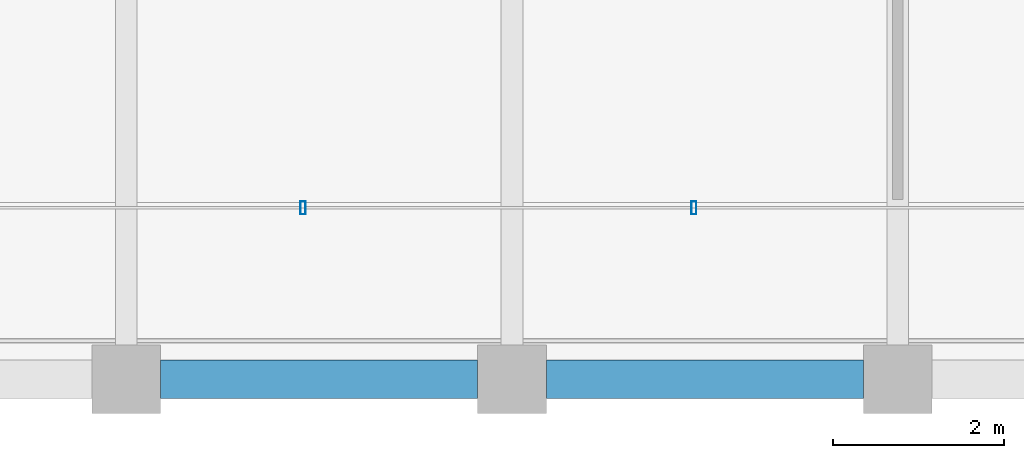
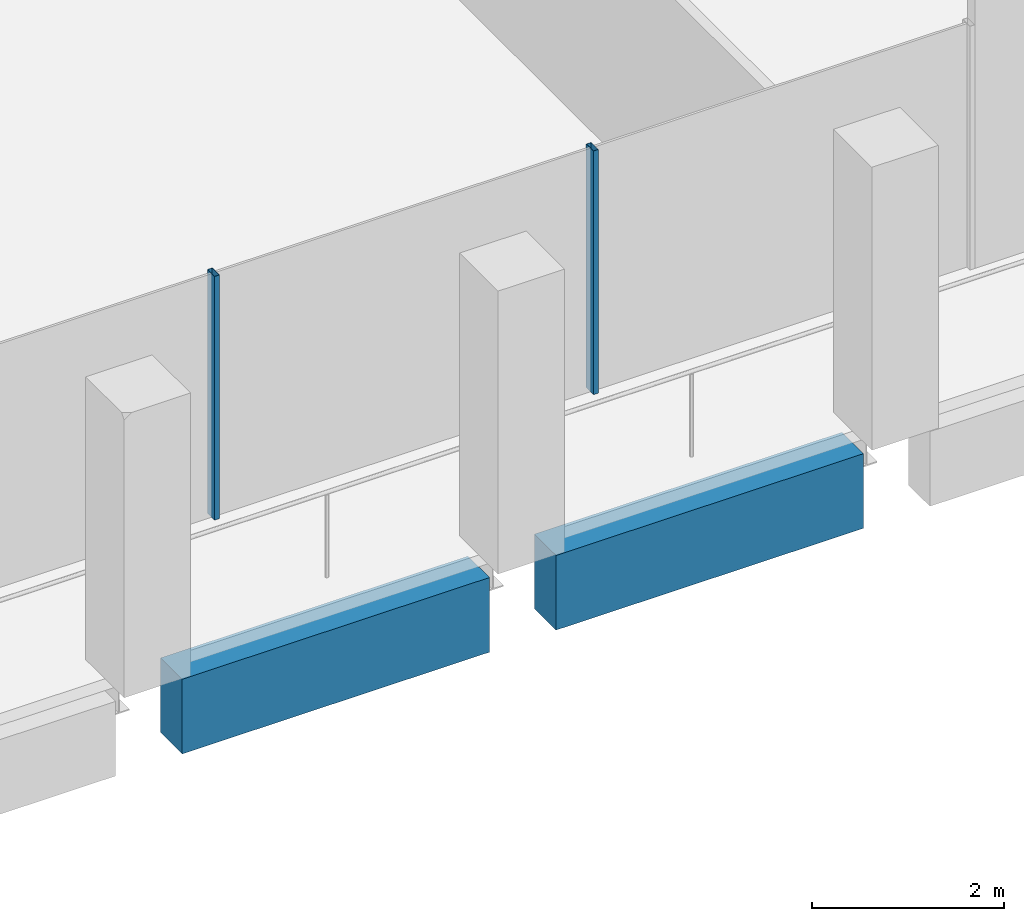
# One storey, part 3 of 40: 2 beams, 2 members, 1 element without a shape of its own.
"""IFC4 building model written with IfcOpenShell, lengths in metres."""

import ifcopenshell
import ifcopenshell.guid

model = None  # the IFC model being written
_history = None  # IfcOwnerHistory: only IFC2X3 demands one
_inside = {}  # id of a spatial element -> (the spatial element, [elements in it])
_under = {}  # id of a project, library or spatial element -> (it, [spatial elements below it])
_declared = {}  # id of a project -> (the project, [libraries it declares])
_typed = {}  # id of a type object -> (the type object, [elements of that type])
_made_of = {}  # id of a material, layer set ... -> (it, [elements and type objects made of it])


def new_model(schema):
    """Start an empty IFC model of exactly this schema.

    Asked for "IFC4X3", IfcOpenShell would pick the latest addendum, in which some entities
    have other attributes; the version numbers below select the first issue.
    IFC2X3 requires an IfcOwnerHistory on every rooted entity: one is made here for all.
    """
    global model, _history
    if schema == "IFC4X3":
        model = ifcopenshell.file(schema_version=(4, 3, 0, 0))
    else:
        model = ifcopenshell.file(schema=schema)
    _inside.clear()
    _under.clear()
    _declared.clear()
    _typed.clear()
    _made_of.clear()
    _history = None
    if model.schema == "IFC2X3":
        org = make("IfcOrganization", Name="unknown")
        user = make(
            "IfcPersonAndOrganization",
            ThePerson=make("IfcPerson", FamilyName="unknown"),
            TheOrganization=org,
        )
        app = make(
            "IfcApplication",
            ApplicationDeveloper=org,
            Version="unknown",
            ApplicationFullName="unknown",
            ApplicationIdentifier="unknown",
        )
        _history = make(
            "IfcOwnerHistory",
            OwningUser=user,
            OwningApplication=app,
            ChangeAction="ADDED",
            CreationDate=0,
        )
    return model


def make(cls, **values):
    """One entity of the class cls with the attributes given. An attribute that is None is left unset."""
    return model.create_entity(
        cls, **{name: value for name, value in values.items() if value is not None}
    )


def rooted(cls, **values):
    """An entity with a GlobalId (a new one), such as an element, a storey or a relation."""
    return make(cls, GlobalId=ifcopenshell.guid.new(), OwnerHistory=_history, **values)


def si_unit(unit_type, name, prefix=None):
    """IfcSIUnit, for example si_unit("LENGTHUNIT", "METRE", prefix="MILLI")."""
    return make("IfcSIUnit", UnitType=unit_type, Prefix=prefix, Name=name)


def assignment(units):
    """IfcUnitAssignment: the units of a project."""
    return None if units is None else make("IfcUnitAssignment", Units=units)


def point(xyz):
    """IfcCartesianPoint."""
    return None if xyz is None else make("IfcCartesianPoint", Coordinates=xyz)


def direction(xyz):
    """IfcDirection."""
    return None if xyz is None else make("IfcDirection", DirectionRatios=xyz)


def frame(location, z_axis=None, x_axis=None):
    """IfcAxis2Placement3D, a coordinate frame: its origin and axes. An axis left out is left unset."""
    return make(
        "IfcAxis2Placement3D",
        Location=point(location),
        Axis=direction(z_axis),
        RefDirection=direction(x_axis),
    )


def frame_2d(location, x_axis=None):
    """IfcAxis2Placement2D, a coordinate frame in the plane: its origin and x axis."""
    return make(
        "IfcAxis2Placement2D", Location=point(location), RefDirection=direction(x_axis)
    )


def origin():
    """The frame at (0, 0, 0) with its axes left unset."""
    return frame((0.0, 0.0, 0.0))


def origin_2d():
    """The frame at (0, 0) in the plane with its x axis left unset."""
    return frame_2d((0.0, 0.0))


def place(relative_to, where):
    """IfcLocalPlacement: puts the frame where relative to a parent placement (None: the world)."""
    return make(
        "IfcLocalPlacement", PlacementRelTo=relative_to, RelativePlacement=where
    )


def context(
    kind, dimensions, precision=None, world=None, true_north=None, identifier=None
):
    """IfcGeometricRepresentationContext, for example the 3D "Model" context."""
    return make(
        "IfcGeometricRepresentationContext",
        ContextIdentifier=identifier,
        ContextType=kind,
        CoordinateSpaceDimension=dimensions,
        Precision=precision,
        WorldCoordinateSystem=world,
        TrueNorth=true_north,
    )


def subcontext(parent, identifier, kind, view, scale=None):
    """IfcGeometricRepresentationSubContext, for example "Body" below "Model"."""
    return make(
        "IfcGeometricRepresentationSubContext",
        ContextIdentifier=identifier,
        ContextType=kind,
        ParentContext=parent,
        TargetScale=scale,
        TargetView=view,
    )


def project(units=None, contexts=None):
    """IfcProject with its units and contexts."""
    return rooted(
        "IfcProject",
        Name="project",
        RepresentationContexts=contexts,
        UnitsInContext=assignment(units),
    )


def spatial(cls, under=None, at=None, **own):
    """A site, building, storey or space (cls), placed at a placement, below another one or the project."""
    s = rooted(cls, ObjectPlacement=at, **own)
    if under is not None:
        _under.setdefault(under.id(), (under, []))[1].append(s)
    return s


def profile(cls, at=None, kind="AREA", **sizes):
    """A parametric profile (cls). Its sizes go by their IFC names, for example OverallWidth=200.0."""
    return make(cls, ProfileType=kind, Position=at, **sizes)


def rectangle(**sizes):
    """IfcRectangleProfileDef."""
    return profile("IfcRectangleProfileDef", **sizes)


def hollow_rectangle(**sizes):
    """IfcRectangleHollowProfileDef."""
    return profile("IfcRectangleHollowProfileDef", **sizes)


def extrude(swept, where, along, depth):
    """IfcExtrudedAreaSolid: the profile swept, set in the frame where, extruded along a direction by depth."""
    return make(
        "IfcExtrudedAreaSolid",
        SweptArea=swept,
        Position=where,
        ExtrudedDirection=direction(along),
        Depth=depth,
    )


def shape(context_of_items, identifier, shape_type, items):
    """IfcShapeRepresentation: the items that make up one representation, for example the "Body"."""
    return make(
        "IfcShapeRepresentation",
        ContextOfItems=context_of_items,
        RepresentationIdentifier=identifier,
        RepresentationType=shape_type,
        Items=items,
    )


def material(Name=None, Category=None):
    """IfcMaterial."""
    return make("IfcMaterial", Name=Name, Category=Category)


def material_profile(
    of_material, cross_section, Name=None, Category=None, Priority=None
):
    """IfcMaterialProfile: a cross section and its material."""
    return make(
        "IfcMaterialProfile",
        Name=Name,
        Material=of_material,
        Profile=cross_section,
        Priority=Priority,
        Category=Category,
    )


def profile_set(profiles, Name=None, composite=None):
    """IfcMaterialProfileSet."""
    return make(
        "IfcMaterialProfileSet",
        Name=Name,
        MaterialProfiles=profiles,
        CompositeProfile=composite,
    )


def made_of(thing, what):
    """Note that an element or type object is made of a material, layer set ...; save() writes the relation."""
    if what is not None:
        _made_of.setdefault(what.id(), (what, []))[1].append(thing)
    return thing


def type_object(cls, material=None, **own):
    """A type object (cls), such as IfcWallType, which elements share."""
    return made_of(rooted(cls, **own), material)


def element(
    cls,
    number,
    at=None,
    inside=None,
    cuts=None,
    type_object=None,
    material=None,
    context=None,
    identifier="Body",
    shape_type=None,
    held_by="IfcProductDefinitionShape",
    body=None,
    shapes=None,
    **own,
):
    """One element of the class cls, such as IfcWall. Its Tag is "e" and its number.

    at: its placement. inside: the storey or other place that contains it. cuts: it is an
    opening in that element (IfcRelVoidsElement). A single representation is given by context,
    identifier, shape_type and body (its items); several are given by shapes. held_by: the class
    of the entity that holds the representations. save() writes the other relations.
    """
    e = rooted(cls, Tag="e%d" % number, ObjectPlacement=at, **own)
    if body is not None:
        shapes = [shape(context, identifier, shape_type, body)]
    if shapes is not None:
        e.Representation = make(held_by, Representations=shapes)
    if inside is not None:
        _inside.setdefault(inside.id(), (inside, []))[1].append(e)
    if cuts is not None:
        rooted(
            "IfcRelVoidsElement", RelatingBuildingElement=cuts, RelatedOpeningElement=e
        )
    if type_object is not None:
        _typed.setdefault(type_object.id(), (type_object, []))[1].append(e)
    return made_of(e, material)


def aggregate(whole, parts):
    """IfcRelAggregates: a whole, such as a stair, and the parts it consists of."""
    return rooted("IfcRelAggregates", RelatingObject=whole, RelatedObjects=parts)


def save(model, path):
    """Write the relations noted so far, then the file.

    IfcRelAggregates (storeys below a building ...), IfcRelContainedInSpatialStructure (elements
    in a storey), IfcRelDefinesByType, IfcRelAssociatesMaterial and IfcRelDeclares: one each for
    every whole, place, type object, material and project.
    """
    for whole, parts in _under.values():
        aggregate(whole, parts)
    for where, things in _inside.values():
        rooted(
            "IfcRelContainedInSpatialStructure",
            RelatedElements=things,
            RelatingStructure=where,
        )
    for kind, things in _typed.values():
        rooted("IfcRelDefinesByType", RelatedObjects=things, RelatingType=kind)
    for what, things in _made_of.values():
        rooted("IfcRelAssociatesMaterial", RelatedObjects=things, RelatingMaterial=what)
    for by, libraries in _declared.values():
        rooted("IfcRelDeclares", RelatingContext=by, RelatedDefinitions=libraries)
    model.write(path)


model = new_model("IFC4")

# Units and contexts
model_context = context("Model", 3, precision=1e-05, world=origin(), true_north=direction((0.0, 1.0)))
body_context = subcontext(model_context, "Body", "Model", "MODEL_VIEW")
ifc_project = project(units=[si_unit("LENGTHUNIT", "METRE"), si_unit("AREAUNIT", "SQUARE_METRE"), si_unit("VOLUMEUNIT", "CUBIC_METRE"), si_unit("PLANEANGLEUNIT", "RADIAN"), si_unit("MASSUNIT", "GRAM", prefix="KILO")], contexts=[model_context])

# Site, building, storey
site_placement = place(None, origin())
site = spatial("IfcSite", under=ifc_project, at=site_placement, CompositionType="ELEMENT")
building_placement = place(site_placement, origin())
building = spatial("IfcBuilding", under=site, at=building_placement, Name="Altepetl Exchange Towers", CompositionType="ELEMENT")
storey_placement = place(building_placement, frame((0.0, 0.0, 202.800048828125)))
storey = spatial("IfcBuildingStorey", under=building, at=storey_placement, Name="L51", CompositionType="ELEMENT", Elevation=202.800048828125)

# Curtain wall, members
ifc_material_1 = material(Name="Aluminium 6063-T6 glazing", Category="aluminium")
curtain_wall_type = type_object("IfcCurtainWallType", Name="Loggia glazing system", PredefinedType="NOTDEFINED", material=ifc_material_1)
curtain_wall_placement = place(storey_placement, origin())
curtain_wall = element("IfcCurtainWall", 1, at=curtain_wall_placement, inside=storey, type_object=curtain_wall_type, Name="CW1 run", PredefinedType="NOTDEFINED")
ifc_material_2 = material(Name="Aluminium 6063-T6", Category="aluminium")
ifc_material_profile_1 = material_profile(ifc_material_2, hollow_rectangle(XDim=0.06005859375, YDim=0.14990234375, WallThickness=0.0029296875, at=origin_2d()), Name="Mullion 60x150 aluminium")
ifc_profile_set_1 = profile_set([ifc_material_profile_1], Name="Aluminium 6063-T6")
member_type = type_object("IfcMemberType", Name="Mullion 60x150 aluminium", PredefinedType="MULLION", material=ifc_profile_set_1)
member_1_placement = place(storey_placement, frame((38.060791015625, 29.0, 0.0)))
member_1 = element("IfcMember", 2, at=member_1_placement, type_object=member_type, Name="MU1 mullion", PredefinedType="MULLION", context=body_context, shape_type="SweptSolid", body=[
    extrude(hollow_rectangle(XDim=0.06005859375, YDim=0.14990234375, WallThickness=0.0029296875, at=origin_2d()), origin(), (0.0, 0.0, 1.0), 3.099853515625),
])
member_2_placement = place(storey_placement, frame((42.621337890625, 29.0, 0.0)))
member_2 = element("IfcMember", 3, at=member_2_placement, type_object=member_type, Name="MU1 mullion", PredefinedType="MULLION", context=body_context, shape_type="SweptSolid", body=[
    extrude(hollow_rectangle(XDim=0.06005859375, YDim=0.14990234375, WallThickness=0.0029296875, at=origin_2d()), origin(), (0.0, 0.0, 1.0), 3.099853515625),
])
aggregate(curtain_wall, [member_1, member_2])

# Beams
ifc_material_3 = material(Name="Concrete C50/60 precast with cantera blanca facing", Category="concrete")
ifc_material_profile_2 = material_profile(ifc_material_3, rectangle(XDim=0.449951171875, YDim=0.949951171875, at=origin_2d()), Name="450 x 950")
ifc_profile_set_2 = profile_set([ifc_material_profile_2], Name="Concrete C50/60 precast with cantera blanca facing")
beam_type = type_object("IfcBeamType", Name="Spandrel beam 450x950 cantera blanca", PredefinedType="SPANDREL", material=ifc_profile_set_2)
for number, where, z_axis, x_axis, name in (
    (4, (36.39990234375, 27.0, -0.625), (1.0, 0.0, 0.0), (0.0, 1.0, 0.0), "sp:A:L51:001"),
    (5, (40.89990234375, 27.0, -0.625), (1.0, 0.0, 0.0), (0.0, 1.0, 0.0), "sp:A:L51:002"),
):
    element("IfcBeam", number, at=place(storey_placement, frame(where, z_axis=z_axis, x_axis=x_axis)), inside=storey, type_object=beam_type, Name=name, PredefinedType="SPANDREL", context=body_context, shape_type="SweptSolid", body=[
        extrude(rectangle(XDim=0.449951171875, YDim=0.949951171875, at=origin_2d()), origin(), (0.0, 0.0, 1.0), 3.7001953125),
    ])

save(model, "model.ifc")
